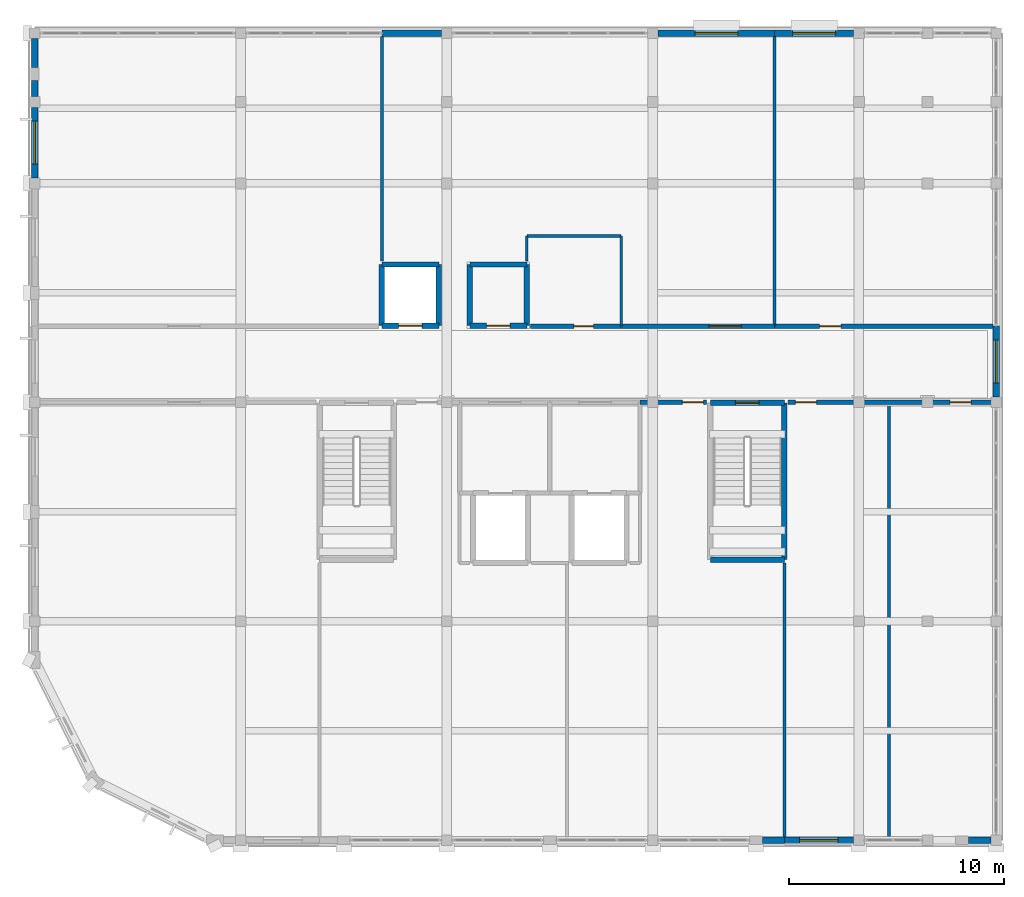
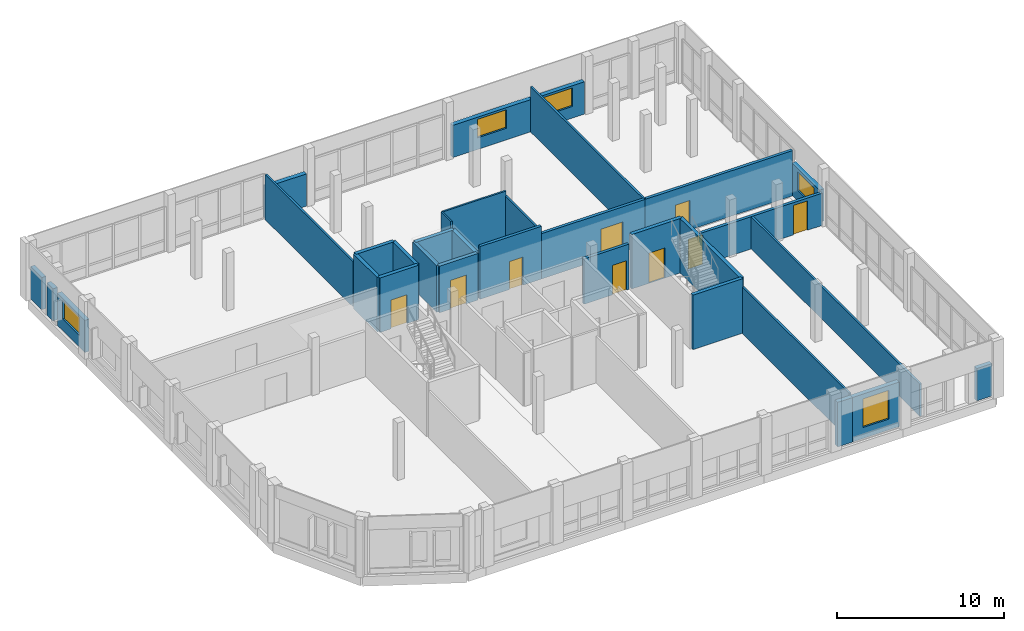
# One storey, part 22 of 29: 33 walls, 9 doors, 5 windows, 14 openings.
"""IFC4 building model written with IfcOpenShell, lengths in metres."""

import ifcopenshell
import ifcopenshell.guid

model = None  # the IFC model being written
_history = None  # IfcOwnerHistory: only IFC2X3 demands one
_inside = {}  # id of a spatial element -> (the spatial element, [elements in it])
_under = {}  # id of a project, library or spatial element -> (it, [spatial elements below it])
_declared = {}  # id of a project -> (the project, [libraries it declares])
_typed = {}  # id of a type object -> (the type object, [elements of that type])
_made_of = {}  # id of a material, layer set ... -> (it, [elements and type objects made of it])


def new_model(schema):
    """Start an empty IFC model of exactly this schema.

    Asked for "IFC4X3", IfcOpenShell would pick the latest addendum, in which some entities
    have other attributes; the version numbers below select the first issue.
    IFC2X3 requires an IfcOwnerHistory on every rooted entity: one is made here for all.
    """
    global model, _history
    if schema == "IFC4X3":
        model = ifcopenshell.file(schema_version=(4, 3, 0, 0))
    else:
        model = ifcopenshell.file(schema=schema)
    _inside.clear()
    _under.clear()
    _declared.clear()
    _typed.clear()
    _made_of.clear()
    _history = None
    if model.schema == "IFC2X3":
        org = make("IfcOrganization", Name="unknown")
        user = make(
            "IfcPersonAndOrganization",
            ThePerson=make("IfcPerson", FamilyName="unknown"),
            TheOrganization=org,
        )
        app = make(
            "IfcApplication",
            ApplicationDeveloper=org,
            Version="unknown",
            ApplicationFullName="unknown",
            ApplicationIdentifier="unknown",
        )
        _history = make(
            "IfcOwnerHistory",
            OwningUser=user,
            OwningApplication=app,
            ChangeAction="ADDED",
            CreationDate=0,
        )
    return model


def make(cls, **values):
    """One entity of the class cls with the attributes given. An attribute that is None is left unset."""
    return model.create_entity(
        cls, **{name: value for name, value in values.items() if value is not None}
    )


def rooted(cls, **values):
    """An entity with a GlobalId (a new one), such as an element, a storey or a relation."""
    return make(cls, GlobalId=ifcopenshell.guid.new(), OwnerHistory=_history, **values)


def si_unit(unit_type, name, prefix=None):
    """IfcSIUnit, for example si_unit("LENGTHUNIT", "METRE", prefix="MILLI")."""
    return make("IfcSIUnit", UnitType=unit_type, Prefix=prefix, Name=name)


def assignment(units):
    """IfcUnitAssignment: the units of a project."""
    return None if units is None else make("IfcUnitAssignment", Units=units)


def point(xyz):
    """IfcCartesianPoint."""
    return None if xyz is None else make("IfcCartesianPoint", Coordinates=xyz)


def direction(xyz):
    """IfcDirection."""
    return None if xyz is None else make("IfcDirection", DirectionRatios=xyz)


def frame(location, z_axis=None, x_axis=None):
    """IfcAxis2Placement3D, a coordinate frame: its origin and axes. An axis left out is left unset."""
    return make(
        "IfcAxis2Placement3D",
        Location=point(location),
        Axis=direction(z_axis),
        RefDirection=direction(x_axis),
    )


def frame_2d(location, x_axis=None):
    """IfcAxis2Placement2D, a coordinate frame in the plane: its origin and x axis."""
    return make(
        "IfcAxis2Placement2D", Location=point(location), RefDirection=direction(x_axis)
    )


def origin():
    """The frame at (0, 0, 0) with its axes left unset."""
    return frame((0.0, 0.0, 0.0))


def place(relative_to, where):
    """IfcLocalPlacement: puts the frame where relative to a parent placement (None: the world)."""
    return make(
        "IfcLocalPlacement", PlacementRelTo=relative_to, RelativePlacement=where
    )


def context(
    kind, dimensions, precision=None, world=None, true_north=None, identifier=None
):
    """IfcGeometricRepresentationContext, for example the 3D "Model" context."""
    return make(
        "IfcGeometricRepresentationContext",
        ContextIdentifier=identifier,
        ContextType=kind,
        CoordinateSpaceDimension=dimensions,
        Precision=precision,
        WorldCoordinateSystem=world,
        TrueNorth=true_north,
    )


def subcontext(parent, identifier, kind, view, scale=None):
    """IfcGeometricRepresentationSubContext, for example "Body" below "Model"."""
    return make(
        "IfcGeometricRepresentationSubContext",
        ContextIdentifier=identifier,
        ContextType=kind,
        ParentContext=parent,
        TargetScale=scale,
        TargetView=view,
    )


def project(units=None, contexts=None):
    """IfcProject with its units and contexts."""
    return rooted(
        "IfcProject",
        Name="project",
        RepresentationContexts=contexts,
        UnitsInContext=assignment(units),
    )


def spatial(cls, under=None, at=None, **own):
    """A site, building, storey or space (cls), placed at a placement, below another one or the project."""
    s = rooted(cls, ObjectPlacement=at, **own)
    if under is not None:
        _under.setdefault(under.id(), (under, []))[1].append(s)
    return s


def profile(cls, at=None, kind="AREA", **sizes):
    """A parametric profile (cls). Its sizes go by their IFC names, for example OverallWidth=200.0."""
    return make(cls, ProfileType=kind, Position=at, **sizes)


def rectangle(**sizes):
    """IfcRectangleProfileDef."""
    return profile("IfcRectangleProfileDef", **sizes)


def extrude(swept, where, along, depth):
    """IfcExtrudedAreaSolid: the profile swept, set in the frame where, extruded along a direction by depth."""
    return make(
        "IfcExtrudedAreaSolid",
        SweptArea=swept,
        Position=where,
        ExtrudedDirection=direction(along),
        Depth=depth,
    )


def shape(context_of_items, identifier, shape_type, items):
    """IfcShapeRepresentation: the items that make up one representation, for example the "Body"."""
    return make(
        "IfcShapeRepresentation",
        ContextOfItems=context_of_items,
        RepresentationIdentifier=identifier,
        RepresentationType=shape_type,
        Items=items,
    )


def material(Name=None, Category=None):
    """IfcMaterial."""
    return make("IfcMaterial", Name=Name, Category=Category)


def layer(
    of_material, thickness, ventilated=None, Name=None, Category=None, Priority=None
):
    """IfcMaterialLayer: one layer of a wall or slab, of a material (None: an air gap)."""
    return make(
        "IfcMaterialLayer",
        Material=of_material,
        LayerThickness=thickness,
        IsVentilated=ventilated,
        Name=Name,
        Category=Category,
        Priority=Priority,
    )


def layer_set(layers, Name=None):
    """IfcMaterialLayerSet."""
    return make("IfcMaterialLayerSet", MaterialLayers=layers, LayerSetName=Name)


def made_of(thing, what):
    """Note that an element or type object is made of a material, layer set ...; save() writes the relation."""
    if what is not None:
        _made_of.setdefault(what.id(), (what, []))[1].append(thing)
    return thing


def type_object(cls, material=None, **own):
    """A type object (cls), such as IfcWallType, which elements share."""
    return made_of(rooted(cls, **own), material)


def element(
    cls,
    number,
    at=None,
    inside=None,
    cuts=None,
    type_object=None,
    material=None,
    context=None,
    identifier="Body",
    shape_type=None,
    held_by="IfcProductDefinitionShape",
    body=None,
    shapes=None,
    **own,
):
    """One element of the class cls, such as IfcWall. Its Tag is "e" and its number.

    at: its placement. inside: the storey or other place that contains it. cuts: it is an
    opening in that element (IfcRelVoidsElement). A single representation is given by context,
    identifier, shape_type and body (its items); several are given by shapes. held_by: the class
    of the entity that holds the representations. save() writes the other relations.
    """
    e = rooted(cls, Tag="e%d" % number, ObjectPlacement=at, **own)
    if body is not None:
        shapes = [shape(context, identifier, shape_type, body)]
    if shapes is not None:
        e.Representation = make(held_by, Representations=shapes)
    if inside is not None:
        _inside.setdefault(inside.id(), (inside, []))[1].append(e)
    if cuts is not None:
        rooted(
            "IfcRelVoidsElement", RelatingBuildingElement=cuts, RelatedOpeningElement=e
        )
    if type_object is not None:
        _typed.setdefault(type_object.id(), (type_object, []))[1].append(e)
    return made_of(e, material)


def fill(opening, filler):
    """IfcRelFillsElement: the door or window that sits in an opening."""
    return rooted(
        "IfcRelFillsElement",
        RelatingOpeningElement=opening,
        RelatedBuildingElement=filler,
    )


def aggregate(whole, parts):
    """IfcRelAggregates: a whole, such as a stair, and the parts it consists of."""
    return rooted("IfcRelAggregates", RelatingObject=whole, RelatedObjects=parts)


def save(model, path):
    """Write the relations noted so far, then the file.

    IfcRelAggregates (storeys below a building ...), IfcRelContainedInSpatialStructure (elements
    in a storey), IfcRelDefinesByType, IfcRelAssociatesMaterial and IfcRelDeclares: one each for
    every whole, place, type object, material and project.
    """
    for whole, parts in _under.values():
        aggregate(whole, parts)
    for where, things in _inside.values():
        rooted(
            "IfcRelContainedInSpatialStructure",
            RelatedElements=things,
            RelatingStructure=where,
        )
    for kind, things in _typed.values():
        rooted("IfcRelDefinesByType", RelatedObjects=things, RelatingType=kind)
    for what, things in _made_of.values():
        rooted("IfcRelAssociatesMaterial", RelatedObjects=things, RelatingMaterial=what)
    for by, libraries in _declared.values():
        rooted("IfcRelDeclares", RelatingContext=by, RelatedDefinitions=libraries)
    model.write(path)


model = new_model("IFC4")

# Units and contexts
model_context = context("Model", 3, precision=1e-05, world=origin(), true_north=direction((0.0, 1.0)))
body_context = subcontext(model_context, "Body", "Model", "MODEL_VIEW")
ifc_project = project(units=[si_unit("LENGTHUNIT", "METRE"), si_unit("AREAUNIT", "SQUARE_METRE"), si_unit("VOLUMEUNIT", "CUBIC_METRE"), si_unit("PLANEANGLEUNIT", "RADIAN"), si_unit("MASSUNIT", "GRAM", prefix="KILO")], contexts=[model_context])

# Site, building, storey
site_placement = place(None, origin())
site = spatial("IfcSite", under=ifc_project, at=site_placement, CompositionType="ELEMENT")
building_placement = place(site_placement, origin())
building = spatial("IfcBuilding", under=site, at=building_placement, Name="Vondelvale Polytechnic", CompositionType="ELEMENT")
storey_placement = place(building_placement, frame((0.0, 0.0, 26.39990234375)))
storey = spatial("IfcBuildingStorey", under=building, at=storey_placement, Name="L06", CompositionType="ELEMENT", Elevation=26.39990234375)

# Wall
ifc_material_1 = material(Name="Amsterdam School iron-spot clinker clay brickwork", Category="masonry")
ifc_layer_1 = layer(ifc_material_1, 0.300048828125)
ifc_layer_set_1 = layer_set([ifc_layer_1], Name="WL-BRICK-300")
wall_type_1 = type_object("IfcWallType", Name="WL-BRICK-300", PredefinedType="SOLIDWALL", material=ifc_layer_set_1)
wall_1_placement = place(storey_placement, frame((34.925048828125, 0.0, 0.0), z_axis=(0.0, 0.0, 1.0), x_axis=(-1.0, 0.0, 0.0)))
element("IfcWall", 1, at=wall_1_placement, inside=storey, type_object=wall_type_1, Name="L06 exterior masonry facade wall", PredefinedType="SOLIDWALL", context=body_context, shape_type="SweptSolid", body=[
    extrude(rectangle(XDim=1.024169921875, YDim=0.300048828125, at=frame_2d((0.51220703125, 0.0))), origin(), (0.0, 0.0, 1.0), 3.25),
])

# Wall, opening, window
wall_2_placement = place(storey_placement, frame((38.14892578125, 0.0, 0.0), z_axis=(0.0, 0.0, 1.0), x_axis=(-1.0, 0.0, 0.0)))
wall_2 = element("IfcWall", 2, at=wall_2_placement, inside=storey, type_object=wall_type_1, Name="L06 exterior masonry facade wall", PredefinedType="SOLIDWALL", context=body_context, shape_type="SweptSolid", body=[
    extrude(rectangle(XDim=3.223876953125, YDim=0.300048828125, at=frame_2d((1.61181640625, 0.0))), origin(), (0.0, 0.0, 1.0), 3.25),
])
opening_1_placement = place(wall_2_placement, frame((0.7119140625, 0.0, 0.800048828125)))
opening_1 = element("IfcOpeningElement", 3, at=opening_1_placement, cuts=wall_2, Name="Opening WN-0281", PredefinedType="OPENING", context=body_context, shape_type="SweptSolid", body=[
    extrude(rectangle(XDim=1.800048828125, YDim=2.10009765625, at=frame_2d((0.89990234375, 1.050048828125))), frame((0.0, 0.159912109375, 0.0), z_axis=(0.0, -1.0, 0.0), x_axis=(1.0, 0.0, 0.0)), (0.0, 0.0, 1.0), 0.320068359375),
])
ifc_material_2 = material(Name="Double-glazed low-E insulated architectural glass", Category="glass")
window_type_1 = type_object("IfcWindowType", Name="WN-LAB-1800x2100", PartitioningType="SINGLE_PANEL", PredefinedType="WINDOW", material=ifc_material_2)
window_1_placement = place(opening_1_placement, origin())
window_1 = element("IfcWindow", 4, at=window_1_placement, inside=storey, type_object=window_type_1, Name="L06 double-glazed architectural window WN-0281", OverallHeight=2.10009765625, OverallWidth=1.800048828125, PartitioningType="SINGLE_PANEL", PredefinedType="WINDOW", context=body_context, shape_type="SweptSolid", body=[
    extrude(rectangle(XDim=1.800048828125, YDim=2.10009765625, at=frame_2d((0.89990234375, 1.050048828125))), frame((0.0, 0.030029296875, 0.0), z_axis=(0.0, -1.0, 0.0), x_axis=(1.0, 0.0, 0.0)), (0.0, 0.0, 1.0), 0.06005859375),
])
fill(opening_1, window_1)

# Wall
wall_3_placement = place(storey_placement, frame((44.549072265625, 0.0, 0.0), z_axis=(0.0, 0.0, 1.0), x_axis=(-1.0, 0.0, 0.0)))
element("IfcWall", 5, at=wall_3_placement, inside=storey, type_object=wall_type_1, Name="L06 exterior masonry facade wall", PredefinedType="SOLIDWALL", context=body_context, shape_type="SweptSolid", body=[
    extrude(rectangle(XDim=1.048095703125, YDim=0.300048828125, at=frame_2d((0.52392578125, 0.0))), origin(), (0.0, 0.0, 1.0), 2.35498046875),
])

# Wall, opening, window
wall_4_placement = place(storey_placement, frame((0.0, 30.85107421875, 0.0), z_axis=(0.0, 0.0, 1.0), x_axis=(0.0, 1.0, 0.0)))
wall_4 = element("IfcWall", 6, at=wall_4_placement, inside=storey, type_object=wall_type_1, Name="L06 exterior masonry facade wall", PredefinedType="SOLIDWALL", context=body_context, shape_type="SweptSolid", body=[
    extrude(rectangle(XDim=3.2978515625, YDim=0.300048828125, at=frame_2d((1.64892578125, 0.0))), origin(), (0.0, 0.0, 1.0), 2.35498046875),
])
opening_2_placement = place(wall_4_placement, frame((0.64892578125, 0.0, 0.85009765625)))
opening_2 = element("IfcOpeningElement", 7, at=opening_2_placement, cuts=wall_4, Name="Opening WN-0286", PredefinedType="OPENING", context=body_context, shape_type="SweptSolid", body=[
    extrude(rectangle(XDim=2.0, YDim=1.35009765625, at=frame_2d((1.0, 0.675048828125))), frame((0.0, 0.159912109375, 0.0), z_axis=(0.0, -1.0, 0.0), x_axis=(1.0, 0.0, 0.0)), (0.0, 0.0, 1.0), 0.320068359375),
])
window_type_2 = type_object("IfcWindowType", Name="WN-RIB-2000x1350", PartitioningType="SINGLE_PANEL", PredefinedType="WINDOW", material=ifc_material_2)
window_2_placement = place(opening_2_placement, origin())
window_2 = element("IfcWindow", 8, at=window_2_placement, inside=storey, type_object=window_type_2, Name="L06 double-glazed architectural window WN-0286", OverallHeight=1.35009765625, OverallWidth=2.0, PartitioningType="SINGLE_PANEL", PredefinedType="WINDOW", context=body_context, shape_type="SweptSolid", body=[
    extrude(rectangle(XDim=2.0, YDim=1.35009765625, at=frame_2d((1.0, 0.675048828125))), frame((0.0, 0.030029296875, 0.0), z_axis=(0.0, -1.0, 0.0), x_axis=(1.0, 0.0, 0.0)), (0.0, 0.0, 1.0), 0.06005859375),
])
fill(opening_2, window_2)

# Walls
wall_5_placement = place(storey_placement, frame((0.0, 34.65087890625, 0.0), z_axis=(0.0, 0.0, 1.0), x_axis=(0.0, 1.0, 0.0)))
element("IfcWall", 9, at=wall_5_placement, inside=storey, type_object=wall_type_1, Name="L06 exterior masonry facade wall", PredefinedType="SOLIDWALL", context=body_context, shape_type="SweptSolid", body=[
    extrude(rectangle(XDim=0.748046875, YDim=0.300048828125, at=frame_2d((0.3740234375, 0.0))), origin(), (0.0, 0.0, 1.0), 2.35498046875),
])
wall_6_placement = place(storey_placement, frame((0.0, 36.0009765625, 0.0), z_axis=(0.0, 0.0, 1.0), x_axis=(0.0, 1.0, 0.0)))
element("IfcWall", 10, at=wall_6_placement, inside=storey, type_object=wall_type_1, Name="L06 exterior masonry facade wall", PredefinedType="SOLIDWALL", context=body_context, shape_type="SweptSolid", body=[
    extrude(rectangle(XDim=1.34814453125, YDim=0.300048828125, at=frame_2d((0.674072265625, 0.0))), origin(), (0.0, 0.0, 1.0), 2.35498046875),
])

# Wall, opening, window
wall_7_placement = place(storey_placement, frame((44.800048828125, 23.949951171875, 0.0), z_axis=(0.0, 0.0, 1.0), x_axis=(0.0, -1.0, 0.0)))
wall_7 = element("IfcWall", 11, at=wall_7_placement, inside=storey, type_object=wall_type_1, Name="L06 exterior masonry facade wall", PredefinedType="SOLIDWALL", context=body_context, shape_type="SweptSolid", body=[
    extrude(rectangle(XDim=3.299072265625, YDim=0.300048828125, at=frame_2d((1.6494140625, 0.0))), origin(), (0.0, 0.0, 1.0), 2.35498046875),
])
opening_3_placement = place(wall_7_placement, frame((0.6494140625, 0.0, 0.75)))
opening_3 = element("IfcOpeningElement", 12, at=opening_3_placement, cuts=wall_7, Name="Opening WN-0287", PredefinedType="OPENING", context=body_context, shape_type="SweptSolid", body=[
    extrude(rectangle(XDim=2.0, YDim=1.35009765625, at=frame_2d((1.0, 0.675048828125))), frame((0.0, 0.159912109375, 0.0), z_axis=(0.0, -1.0, 0.0), x_axis=(1.0, 0.0, 0.0)), (0.0, 0.0, 1.0), 0.320068359375),
])
window_3_placement = place(opening_3_placement, origin())
window_3 = element("IfcWindow", 13, at=window_3_placement, inside=storey, type_object=window_type_2, Name="L06 double-glazed architectural window WN-0287", OverallHeight=1.35009765625, OverallWidth=2.0, PartitioningType="SINGLE_PANEL", PredefinedType="WINDOW", context=body_context, shape_type="SweptSolid", body=[
    extrude(rectangle(XDim=2.0, YDim=1.35009765625, at=frame_2d((1.0, 0.675048828125))), frame((0.0, 0.030029296875, 0.0), z_axis=(0.0, -1.0, 0.0), x_axis=(1.0, 0.0, 0.0)), (0.0, 0.0, 1.0), 0.06005859375),
])
fill(opening_3, window_3)

# Wall
wall_8_placement = place(storey_placement, frame((16.175048828125, 37.60009765625, 0.0), z_axis=(0.0, 0.0, 1.0), x_axis=(1.0, 0.0, 0.0)))
element("IfcWall", 14, at=wall_8_placement, inside=storey, type_object=wall_type_1, Name="L06 exterior masonry facade wall", PredefinedType="SOLIDWALL", context=body_context, shape_type="SweptSolid", body=[
    extrude(rectangle(XDim=2.77392578125, YDim=0.300048828125, at=frame_2d((1.386962890625, 0.0))), origin(), (0.0, 0.0, 1.0), 2.35498046875),
])

# Wall, opening, window
wall_9_placement = place(storey_placement, frame((29.051025390625, 37.60009765625, 0.0), z_axis=(0.0, 0.0, 1.0), x_axis=(1.0, 0.0, 0.0)))
wall_9 = element("IfcWall", 15, at=wall_9_placement, inside=storey, type_object=wall_type_1, Name="L06 exterior masonry facade wall", PredefinedType="SOLIDWALL", context=body_context, shape_type="SweptSolid", body=[
    extrude(rectangle(XDim=5.424072265625, YDim=0.300048828125, at=frame_2d((2.7119140625, 0.0))), origin(), (0.0, 0.0, 1.0), 2.35498046875),
])
opening_4_placement = place(wall_9_placement, frame((1.7119140625, 0.0, 0.85009765625)))
opening_4 = element("IfcOpeningElement", 16, at=opening_4_placement, cuts=wall_9, Name="Opening WN-0288", PredefinedType="OPENING", context=body_context, shape_type="SweptSolid", body=[
    extrude(rectangle(XDim=2.0, YDim=1.35009765625, at=frame_2d((1.0, 0.675048828125))), frame((0.0, 0.159912109375, 0.0), z_axis=(0.0, -1.0, 0.0), x_axis=(1.0, 0.0, 0.0)), (0.0, 0.0, 1.0), 0.320068359375),
])
window_4_placement = place(opening_4_placement, origin())
window_4 = element("IfcWindow", 17, at=window_4_placement, inside=storey, type_object=window_type_2, Name="L06 double-glazed architectural window WN-0288", OverallHeight=1.35009765625, OverallWidth=2.0, PartitioningType="SINGLE_PANEL", PredefinedType="WINDOW", context=body_context, shape_type="SweptSolid", body=[
    extrude(rectangle(XDim=2.0, YDim=1.35009765625, at=frame_2d((1.0, 0.675048828125))), frame((0.0, 0.030029296875, 0.0), z_axis=(0.0, -1.0, 0.0), x_axis=(1.0, 0.0, 0.0)), (0.0, 0.0, 1.0), 0.06005859375),
])
fill(opening_4, window_4)

wall_10_placement = place(storey_placement, frame((34.47509765625, 37.60009765625, 0.0), z_axis=(0.0, 0.0, 1.0), x_axis=(1.0, 0.0, 0.0)))
wall_10 = element("IfcWall", 18, at=wall_10_placement, inside=storey, type_object=wall_type_1, Name="L06 exterior masonry facade wall", PredefinedType="SOLIDWALL", context=body_context, shape_type="SweptSolid", body=[
    extrude(rectangle(XDim=3.673828125, YDim=0.300048828125, at=frame_2d((1.8369140625, 0.0))), origin(), (0.0, 0.0, 1.0), 2.35498046875),
])
opening_5_placement = place(wall_10_placement, frame((0.8369140625, 0.0, 0.85009765625)))
opening_5 = element("IfcOpeningElement", 19, at=opening_5_placement, cuts=wall_10, Name="Opening WN-0289", PredefinedType="OPENING", context=body_context, shape_type="SweptSolid", body=[
    extrude(rectangle(XDim=2.0, YDim=1.35009765625, at=frame_2d((1.0, 0.675048828125))), frame((0.0, 0.159912109375, 0.0), z_axis=(0.0, -1.0, 0.0), x_axis=(1.0, 0.0, 0.0)), (0.0, 0.0, 1.0), 0.320068359375),
])
window_5_placement = place(opening_5_placement, origin())
window_5 = element("IfcWindow", 20, at=window_5_placement, inside=storey, type_object=window_type_2, Name="L06 double-glazed architectural window WN-0289", OverallHeight=1.35009765625, OverallWidth=2.0, PartitioningType="SINGLE_PANEL", PredefinedType="WINDOW", context=body_context, shape_type="SweptSolid", body=[
    extrude(rectangle(XDim=2.0, YDim=1.35009765625, at=frame_2d((1.0, 0.675048828125))), frame((0.0, 0.030029296875, 0.0), z_axis=(0.0, -1.0, 0.0), x_axis=(1.0, 0.0, 0.0)), (0.0, 0.0, 1.0), 0.06005859375),
])
fill(opening_5, window_5)

# Walls
ifc_material_3 = material(Name="Concrete N40 (f'c = 40 MPa)", Category="concrete")
ifc_layer_2 = layer(ifc_material_3, 0.25)
ifc_layer_set_2 = layer_set([ifc_layer_2], Name="WL-CORE-250")
wall_type_2 = type_object("IfcWallType", Name="WL-CORE-250", PredefinedType="SOLIDWALL", material=ifc_layer_set_2)
wall_11_placement = place(storey_placement, frame((31.47509765625, 13.074951171875, 0.0), z_axis=(0.0, 0.0, 1.0), x_axis=(1.0, 0.0, 0.0)))
element("IfcWall", 21, at=wall_11_placement, inside=storey, type_object=wall_type_2, Name="L06 ST-04 reinforced concrete stair core wall", PredefinedType="SOLIDWALL", context=body_context, shape_type="SweptSolid", body=[
    extrude(rectangle(XDim=3.449951171875, YDim=0.25, at=frame_2d((1.72509765625, 0.0))), origin(), (0.0, 0.0, 1.0), 3.97509765625),
])
wall_12_placement = place(storey_placement, frame((34.925048828125, 13.074951171875, 0.0), z_axis=(0.0, 0.0, 1.0), x_axis=(0.0, 1.0, 0.0)))
element("IfcWall", 22, at=wall_12_placement, inside=storey, type_object=wall_type_2, Name="L06 ST-04 reinforced concrete stair core wall", PredefinedType="SOLIDWALL", context=body_context, shape_type="SweptSolid", body=[
    extrude(rectangle(XDim=7.300048828125, YDim=0.25, at=frame_2d((3.64990234375, 0.0))), origin(), (0.0, 0.0, 1.0), 3.97509765625),
])

# Wall, opening, door
wall_13_placement = place(storey_placement, frame((34.925048828125, 20.375, 0.0), z_axis=(0.0, 0.0, 1.0), x_axis=(-1.0, 0.0, 0.0)))
wall_13 = element("IfcWall", 23, at=wall_13_placement, inside=storey, type_object=wall_type_2, Name="L06 ST-04 reinforced concrete stair core wall", PredefinedType="SOLIDWALL", context=body_context, shape_type="SweptSolid", body=[
    extrude(rectangle(XDim=3.449951171875, YDim=0.25, at=frame_2d((1.72509765625, 0.0))), origin(), (0.0, 0.0, 1.0), 3.97509765625),
])
opening_6_placement = place(wall_13_placement, frame((1.175048828125, 0.0, 0.0)))
opening_6 = element("IfcOpeningElement", 24, at=opening_6_placement, cuts=wall_13, Name="Opening SD-025", PredefinedType="OPENING", context=body_context, shape_type="SweptSolid", body=[
    extrude(rectangle(XDim=1.10009765625, YDim=2.199951171875, at=frame_2d((0.550048828125, 1.10009765625))), frame((0.0, 0.135009765625, 0.0), z_axis=(0.0, -1.0, 0.0), x_axis=(1.0, 0.0, 0.0)), (0.0, 0.0, 1.0), 0.27001953125),
])
ifc_material_4 = material(Name="Brushed architectural stainless and zinc-coated metal")
door_type_1 = type_object("IfcDoorType", Name="DR-STAIR-1100x2200", OperationType="SINGLE_SWING_LEFT", PredefinedType="DOOR", material=ifc_material_4)
door_1_placement = place(opening_6_placement, origin())
door_1 = element("IfcDoor", 25, at=door_1_placement, inside=storey, type_object=door_type_1, Name="L06 ST-04 fire-isolated stair door", OperationType="SINGLE_SWING_LEFT", OverallHeight=2.199951171875, OverallWidth=1.10009765625, PredefinedType="DOOR", context=body_context, shape_type="SweptSolid", body=[
    extrude(rectangle(XDim=1.10009765625, YDim=2.199951171875, at=frame_2d((0.550048828125, 1.10009765625))), frame((0.0, 0.02490234375, 0.0), z_axis=(0.0, -1.0, 0.0), x_axis=(1.0, 0.0, 0.0)), (0.0, 0.0, 1.0), 0.050048828125),
])
fill(opening_6, door_1)

ifc_material_5 = material(Name="Fire-rated double-layer plasterboard stud partition")
ifc_layer_3 = layer(ifc_material_5, 0.199951171875)
ifc_layer_set_3 = layer_set([ifc_layer_3], Name="WL-CORR-200")
wall_type_3 = type_object("IfcWallType", Name="WL-CORR-200", PredefinedType="PARTITIONING", material=ifc_layer_set_3)
wall_14_placement = place(storey_placement, frame((28.199951171875, 20.39990234375, 0.0), z_axis=(0.0, 0.0, 1.0), x_axis=(1.0, 0.0, 0.0)))
wall_14 = element("IfcWall", 26, at=wall_14_placement, inside=storey, type_object=wall_type_3, Name="L06 interior acoustic partition", PredefinedType="PARTITIONING", context=body_context, shape_type="SweptSolid", body=[
    extrude(rectangle(XDim=3.110107421875, YDim=0.199951171875, at=frame_2d((1.55517578125, 0.0))), origin(), (0.0, 0.0, 1.0), 3.30517578125),
])
opening_7_placement = place(wall_14_placement, frame((1.969970703125, 0.0, 0.0)))
opening_7 = element("IfcOpeningElement", 27, at=opening_7_placement, cuts=wall_14, Name="Opening ID-0197", PredefinedType="OPENING", context=body_context, shape_type="SweptSolid", body=[
    extrude(rectangle(XDim=0.97998046875, YDim=2.14990234375, at=frame_2d((0.489990234375, 1.074951171875))), frame((0.0, 0.10986328125, 0.0), z_axis=(0.0, -1.0, 0.0), x_axis=(1.0, 0.0, 0.0)), (0.0, 0.0, 1.0), 0.219970703125),
])
ifc_material_6 = material(Name="Fire-rated solid Tasmanian oak joinery")
door_type_2 = type_object("IfcDoorType", Name="DR-INT-0980x2150", OperationType="SINGLE_SWING_RIGHT", PredefinedType="DOOR", material=ifc_material_6)
door_2_placement = place(opening_7_placement, origin())
door_2 = element("IfcDoor", 28, at=door_2_placement, inside=storey, type_object=door_type_2, Name="L06 interior room door ID-0197", OperationType="SINGLE_SWING_LEFT", OverallHeight=2.14990234375, OverallWidth=0.97998046875, PredefinedType="DOOR", context=body_context, shape_type="SweptSolid", body=[
    extrude(rectangle(XDim=0.97998046875, YDim=2.14990234375, at=frame_2d((0.489990234375, 1.074951171875))), frame((0.0, 0.02490234375, 0.0), z_axis=(0.0, -1.0, 0.0), x_axis=(1.0, 0.0, 0.0)), (0.0, 0.0, 1.0), 0.050048828125),
])
fill(opening_7, door_2)

# Wall, openings, doors
wall_15_placement = place(storey_placement, frame((35.090087890625, 20.39990234375, 0.0), z_axis=(0.0, 0.0, 1.0), x_axis=(1.0, 0.0, 0.0)))
wall_15 = element("IfcWall", 29, at=wall_15_placement, inside=storey, type_object=wall_type_3, Name="L06 interior acoustic partition", PredefinedType="PARTITIONING", context=body_context, shape_type="SweptSolid", body=[
    extrude(rectangle(XDim=9.559814453125, YDim=0.199951171875, at=frame_2d((4.77978515625, 0.0))), origin(), (0.0, 0.0, 1.0), 2.35498046875),
])
opening_8_placement = place(wall_15_placement, frame((0.35498046875, 0.0, 0.0)))
opening_8 = element("IfcOpeningElement", 30, at=opening_8_placement, cuts=wall_15, Name="Opening ID-0198", PredefinedType="OPENING", context=body_context, shape_type="SweptSolid", body=[
    extrude(rectangle(XDim=0.97998046875, YDim=2.14990234375, at=frame_2d((0.489990234375, 1.074951171875))), frame((0.0, 0.10986328125, 0.0), z_axis=(0.0, -1.0, 0.0), x_axis=(1.0, 0.0, 0.0)), (0.0, 0.0, 1.0), 0.219970703125),
])
opening_9_placement = place(wall_15_placement, frame((7.56005859375, 0.0, 0.0)))
opening_9 = element("IfcOpeningElement", 31, at=opening_9_placement, cuts=wall_15, Name="Opening ID-0199", PredefinedType="OPENING", context=body_context, shape_type="SweptSolid", body=[
    extrude(rectangle(XDim=0.97998046875, YDim=2.14990234375, at=frame_2d((0.489990234375, 1.074951171875))), frame((0.0, 0.10986328125, 0.0), z_axis=(0.0, -1.0, 0.0), x_axis=(1.0, 0.0, 0.0)), (0.0, 0.0, 1.0), 0.219970703125),
])
door_3_placement = place(opening_8_placement, origin())
door_3 = element("IfcDoor", 32, at=door_3_placement, inside=storey, type_object=door_type_2, Name="L06 interior room door ID-0198", OperationType="SINGLE_SWING_RIGHT", OverallHeight=2.14990234375, OverallWidth=0.97998046875, PredefinedType="DOOR", context=body_context, shape_type="SweptSolid", body=[
    extrude(rectangle(XDim=0.97998046875, YDim=2.14990234375, at=frame_2d((0.489990234375, 1.074951171875))), frame((0.0, 0.02490234375, 0.0), z_axis=(0.0, -1.0, 0.0), x_axis=(1.0, 0.0, 0.0)), (0.0, 0.0, 1.0), 0.050048828125),
])
fill(opening_8, door_3)
door_4_placement = place(opening_9_placement, origin())
door_4 = element("IfcDoor", 33, at=door_4_placement, inside=storey, type_object=door_type_2, Name="L06 interior room door ID-0199", OperationType="SINGLE_SWING_LEFT", OverallHeight=2.14990234375, OverallWidth=0.97998046875, PredefinedType="DOOR", context=body_context, shape_type="SweptSolid", body=[
    extrude(rectangle(XDim=0.97998046875, YDim=2.14990234375, at=frame_2d((0.489990234375, 1.074951171875))), frame((0.0, 0.02490234375, 0.0), z_axis=(0.0, -1.0, 0.0), x_axis=(1.0, 0.0, 0.0)), (0.0, 0.0, 1.0), 0.050048828125),
])
fill(opening_9, door_4)

# Wall, opening, door
wall_16_placement = place(storey_placement, frame((23.090087890625, 23.949951171875, 0.0), z_axis=(0.0, 0.0, 1.0), x_axis=(1.0, 0.0, 0.0)))
wall_16 = element("IfcWall", 34, at=wall_16_placement, inside=storey, type_object=wall_type_3, Name="L06 interior acoustic partition", PredefinedType="PARTITIONING", context=body_context, shape_type="SweptSolid", body=[
    extrude(rectangle(XDim=4.23486328125, YDim=0.199951171875, at=frame_2d((2.117431640625, 0.0))), origin(), (0.0, 0.0, 1.0), 3.85009765625),
])
opening_10_placement = place(wall_16_placement, frame((2.034912109375, 0.0, 0.0)))
opening_10 = element("IfcOpeningElement", 35, at=opening_10_placement, cuts=wall_16, Name="Opening ID-0200", PredefinedType="OPENING", context=body_context, shape_type="SweptSolid", body=[
    extrude(rectangle(XDim=0.89990234375, YDim=2.050048828125, at=frame_2d((0.449951171875, 1.02490234375))), frame((0.0, 0.10986328125, 0.0), z_axis=(0.0, -1.0, 0.0), x_axis=(1.0, 0.0, 0.0)), (0.0, 0.0, 1.0), 0.219970703125),
])
door_type_3 = type_object("IfcDoorType", Name="DR-WC-0900x2050", OperationType="SINGLE_SWING_RIGHT", PredefinedType="DOOR", material=ifc_material_6)
door_5_placement = place(opening_10_placement, origin())
door_5 = element("IfcDoor", 36, at=door_5_placement, inside=storey, type_object=door_type_3, Name="L06 interior room door ID-0200", OperationType="SINGLE_SWING_RIGHT", OverallHeight=2.050048828125, OverallWidth=0.89990234375, PredefinedType="DOOR", context=body_context, shape_type="SweptSolid", body=[
    extrude(rectangle(XDim=0.89990234375, YDim=2.050048828125, at=frame_2d((0.449951171875, 1.02490234375))), frame((0.0, 0.02490234375, 0.0), z_axis=(0.0, -1.0, 0.0), x_axis=(1.0, 0.0, 0.0)), (0.0, 0.0, 1.0), 0.050048828125),
])
fill(opening_10, door_5)

wall_17_placement = place(storey_placement, frame((27.324951171875, 23.949951171875, 0.0), z_axis=(0.0, 0.0, 1.0), x_axis=(1.0, 0.0, 0.0)))
wall_17 = element("IfcWall", 37, at=wall_17_placement, inside=storey, type_object=wall_type_3, Name="L06 interior acoustic partition", PredefinedType="PARTITIONING", context=body_context, shape_type="SweptSolid", body=[
    extrude(rectangle(XDim=7.150146484375, YDim=0.199951171875, at=frame_2d((3.5751953125, 0.0))), origin(), (0.0, 0.0, 1.0), 3.30517578125),
])
opening_11_placement = place(wall_17_placement, frame((4.10009765625, 0.0, 0.0)))
opening_11 = element("IfcOpeningElement", 38, at=opening_11_placement, cuts=wall_17, Name="Opening ID-0202", PredefinedType="OPENING", context=body_context, shape_type="SweptSolid", body=[
    extrude(rectangle(XDim=1.5, YDim=2.199951171875, at=frame_2d((0.75, 1.10009765625))), frame((0.0, 0.10986328125, 0.0), z_axis=(0.0, -1.0, 0.0), x_axis=(1.0, 0.0, 0.0)), (0.0, 0.0, 1.0), 0.219970703125),
])
door_type_4 = type_object("IfcDoorType", Name="DR-LAB-1500x2200", OperationType="DOUBLE_DOOR_SINGLE_SWING", PredefinedType="DOOR", material=ifc_material_6)
door_6_placement = place(opening_11_placement, origin())
door_6 = element("IfcDoor", 39, at=door_6_placement, inside=storey, type_object=door_type_4, Name="L06 interior room door ID-0202", OperationType="DOUBLE_DOOR_SINGLE_SWING", OverallHeight=2.199951171875, OverallWidth=1.5, PredefinedType="DOOR", context=body_context, shape_type="SweptSolid", body=[
    extrude(rectangle(XDim=1.5, YDim=2.199951171875, at=frame_2d((0.75, 1.10009765625))), frame((0.0, 0.02490234375, 0.0), z_axis=(0.0, -1.0, 0.0), x_axis=(1.0, 0.0, 0.0)), (0.0, 0.0, 1.0), 0.050048828125),
])
fill(opening_11, door_6)

wall_18_placement = place(storey_placement, frame((34.47509765625, 23.949951171875, 0.0), z_axis=(0.0, 0.0, 1.0), x_axis=(1.0, 0.0, 0.0)))
wall_18 = element("IfcWall", 40, at=wall_18_placement, inside=storey, type_object=wall_type_3, Name="L06 interior acoustic partition", PredefinedType="PARTITIONING", context=body_context, shape_type="SweptSolid", body=[
    extrude(rectangle(XDim=10.1748046875, YDim=0.199951171875, at=frame_2d((5.08740234375, 0.0))), origin(), (0.0, 0.0, 1.0), 3.30517578125),
])
opening_12_placement = place(wall_18_placement, frame((2.10009765625, 0.0, 0.0)))
opening_12 = element("IfcOpeningElement", 41, at=opening_12_placement, cuts=wall_18, Name="Opening ID-0203", PredefinedType="OPENING", context=body_context, shape_type="SweptSolid", body=[
    extrude(rectangle(XDim=0.97998046875, YDim=2.14990234375, at=frame_2d((0.489990234375, 1.074951171875))), frame((0.0, 0.10986328125, 0.0), z_axis=(0.0, -1.0, 0.0), x_axis=(1.0, 0.0, 0.0)), (0.0, 0.0, 1.0), 0.219970703125),
])
door_7_placement = place(opening_12_placement, origin())
door_7 = element("IfcDoor", 42, at=door_7_placement, inside=storey, type_object=door_type_2, Name="L06 interior room door ID-0203", OperationType="SINGLE_SWING_LEFT", OverallHeight=2.14990234375, OverallWidth=0.97998046875, PredefinedType="DOOR", context=body_context, shape_type="SweptSolid", body=[
    extrude(rectangle(XDim=0.97998046875, YDim=2.14990234375, at=frame_2d((0.489990234375, 1.074951171875))), frame((0.0, 0.02490234375, 0.0), z_axis=(0.0, -1.0, 0.0), x_axis=(1.0, 0.0, 0.0)), (0.0, 0.0, 1.0), 0.050048828125),
])
fill(opening_12, door_7)

# Walls
ifc_layer_4 = layer(ifc_material_5, 0.1201171875)
ifc_layer_set_4 = layer_set([ifc_layer_4], Name="WL-INT-120")
wall_type_4 = type_object("IfcWallType", Name="WL-INT-120", PredefinedType="PARTITIONING", material=ifc_layer_set_4)
wall_19_placement = place(storey_placement, frame((22.925048828125, 26.989990234375, 0.0), z_axis=(0.0, 0.0, 1.0), x_axis=(0.0, 1.0, 0.0)))
element("IfcWall", 43, at=wall_19_placement, inside=storey, type_object=wall_type_4, Name="L06 interior acoustic partition", PredefinedType="PARTITIONING", context=body_context, shape_type="SweptSolid", body=[
    extrude(rectangle(XDim=1.159912109375, YDim=0.1201171875, at=frame_2d((0.580078125, 0.0))), origin(), (0.0, 0.0, 1.0), 3.85009765625),
])
wall_20_placement = place(storey_placement, frame((22.925048828125, 28.14990234375, 0.0), z_axis=(0.0, 0.0, 1.0), x_axis=(1.0, 0.0, 0.0)))
element("IfcWall", 44, at=wall_20_placement, inside=storey, type_object=wall_type_4, Name="L06 interior acoustic partition", PredefinedType="PARTITIONING", context=body_context, shape_type="SweptSolid", body=[
    extrude(rectangle(XDim=4.39990234375, YDim=0.1201171875, at=frame_2d((2.199951171875, 0.0))), origin(), (0.0, 0.0, 1.0), 3.85009765625),
])
wall_21_placement = place(storey_placement, frame((27.324951171875, 23.949951171875, 0.0), z_axis=(0.0, 0.0, 1.0), x_axis=(0.0, 1.0, 0.0)))
element("IfcWall", 45, at=wall_21_placement, inside=storey, type_object=wall_type_4, Name="L06 interior acoustic partition", PredefinedType="PARTITIONING", context=body_context, shape_type="SweptSolid", body=[
    extrude(rectangle(XDim=4.199951171875, YDim=0.1201171875, at=frame_2d((2.10009765625, 0.0))), origin(), (0.0, 0.0, 1.0), 3.505126953125),
])
ifc_layer_5 = layer(ifc_material_5, 0.135009765625)
ifc_layer_set_5 = layer_set([ifc_layer_5], Name="WL-INT-135")
wall_type_5 = type_object("IfcWallType", Name="WL-INT-135", PredefinedType="PARTITIONING", material=ifc_layer_set_5)
wall_22_placement = place(storey_placement, frame((34.925048828125, 0.14990234375, 0.0), z_axis=(0.0, 0.0, 1.0), x_axis=(0.0, 1.0, 0.0)))
element("IfcWall", 46, at=wall_22_placement, inside=storey, type_object=wall_type_5, Name="L06 interior acoustic partition", PredefinedType="PARTITIONING", context=body_context, shape_type="SweptSolid", body=[
    extrude(rectangle(XDim=12.760009765625, YDim=0.135009765625, at=frame_2d((6.3798828125, 0.0))), origin(), (0.0, 0.0, 1.0), 3.405029296875),
])
wall_23_placement = place(storey_placement, frame((39.800048828125, 0.14990234375, 0.0), z_axis=(0.0, 0.0, 1.0), x_axis=(0.0, 1.0, 0.0)))
element("IfcWall", 47, at=wall_23_placement, inside=storey, type_object=wall_type_5, Name="L06 interior acoustic partition", PredefinedType="PARTITIONING", context=body_context, shape_type="SweptSolid", body=[
    extrude(rectangle(XDim=20.25, YDim=0.135009765625, at=frame_2d((10.125, 0.0))), origin(), (0.0, 0.0, 1.0), 2.35498046875),
])
wall_24_placement = place(storey_placement, frame((16.175048828125, 26.989990234375, 0.0), z_axis=(0.0, 0.0, 1.0), x_axis=(0.0, 1.0, 0.0)))
element("IfcWall", 48, at=wall_24_placement, inside=storey, type_object=wall_type_5, Name="L06 interior acoustic partition", PredefinedType="PARTITIONING", context=body_context, shape_type="SweptSolid", body=[
    extrude(rectangle(XDim=10.4599609375, YDim=0.135009765625, at=frame_2d((5.22998046875, 0.0))), origin(), (0.0, 0.0, 1.0), 3.30517578125),
])
wall_25_placement = place(storey_placement, frame((34.47509765625, 23.949951171875, 0.0), z_axis=(0.0, 0.0, 1.0), x_axis=(0.0, 1.0, 0.0)))
element("IfcWall", 49, at=wall_25_placement, inside=storey, type_object=wall_type_5, Name="L06 interior acoustic partition", PredefinedType="PARTITIONING", context=body_context, shape_type="SweptSolid", body=[
    extrude(rectangle(XDim=13.5, YDim=0.135009765625, at=frame_2d((6.75, 0.0))), origin(), (0.0, 0.0, 1.0), 3.30517578125),
])

# Wall, opening, door
ifc_layer_6 = layer(ifc_material_3, 0.25)
ifc_layer_set_6 = layer_set([ifc_layer_6], Name="WL-SHAFT-250")
wall_type_6 = type_object("IfcWallType", Name="WL-SHAFT-250", PredefinedType="SOLIDWALL", material=ifc_layer_set_6)
wall_26_placement = place(storey_placement, frame((16.175048828125, 23.97509765625, 0.0), z_axis=(0.0, 0.0, 1.0), x_axis=(1.0, 0.0, 0.0)))
wall_26 = element("IfcWall", 50, at=wall_26_placement, inside=storey, type_object=wall_type_6, Name="L06 PL-01 lift shaft wall S", PredefinedType="SOLIDWALL", context=body_context, shape_type="SweptSolid", body=[
    extrude(rectangle(XDim=2.64990234375, YDim=0.25, at=frame_2d((1.324951171875, 0.0))), origin(), (0.0, 0.0, 1.0), 3.97509765625),
])
opening_13_placement = place(wall_26_placement, frame((0.77490234375, 0.0, 0.0)))
opening_13 = element("IfcOpeningElement", 51, at=opening_13_placement, cuts=wall_26, Name="Opening LD-026", PredefinedType="OPENING", context=body_context, shape_type="SweptSolid", body=[
    extrude(rectangle(XDim=1.10009765625, YDim=2.10009765625, at=frame_2d((0.550048828125, 1.050048828125))), frame((0.0, 0.135009765625, 0.0), z_axis=(0.0, -1.0, 0.0), x_axis=(1.0, 0.0, 0.0)), (0.0, 0.0, 1.0), 0.27001953125),
])
door_type_5 = type_object("IfcDoorType", Name="DR-LIFT-1100x2100", OperationType="SLIDING_TO_LEFT", PredefinedType="DOOR", material=ifc_material_4)
door_8_placement = place(opening_13_placement, origin())
door_8 = element("IfcDoor", 52, at=door_8_placement, inside=storey, type_object=door_type_5, Name="L06 PL-01 sliding lift landing door", OperationType="SLIDING_TO_LEFT", OverallHeight=2.10009765625, OverallWidth=1.10009765625, PredefinedType="DOOR", context=body_context, shape_type="SweptSolid", body=[
    extrude(rectangle(XDim=1.10009765625, YDim=2.10009765625, at=frame_2d((0.550048828125, 1.050048828125))), frame((0.0, 0.02490234375, 0.0), z_axis=(0.0, -1.0, 0.0), x_axis=(1.0, 0.0, 0.0)), (0.0, 0.0, 1.0), 0.050048828125),
])
fill(opening_13, door_8)

# Walls
wall_27_placement = place(storey_placement, frame((18.824951171875, 23.97509765625, 0.0), z_axis=(0.0, 0.0, 1.0), x_axis=(0.0, 1.0, 0.0)))
element("IfcWall", 53, at=wall_27_placement, inside=storey, type_object=wall_type_6, Name="L06 PL-01 lift shaft wall E", PredefinedType="SOLIDWALL", context=body_context, shape_type="SweptSolid", body=[
    extrude(rectangle(XDim=2.849853515625, YDim=0.25, at=frame_2d((1.4248046875, 0.0))), origin(), (0.0, 0.0, 1.0), 3.97509765625),
])
wall_28_placement = place(storey_placement, frame((18.824951171875, 26.824951171875, 0.0), z_axis=(0.0, 0.0, 1.0), x_axis=(-1.0, 0.0, 0.0)))
element("IfcWall", 54, at=wall_28_placement, inside=storey, type_object=wall_type_6, Name="L06 PL-01 lift shaft wall N", PredefinedType="SOLIDWALL", context=body_context, shape_type="SweptSolid", body=[
    extrude(rectangle(XDim=2.64990234375, YDim=0.25, at=frame_2d((1.324951171875, 0.0))), origin(), (0.0, 0.0, 1.0), 3.97509765625),
])
wall_29_placement = place(storey_placement, frame((16.175048828125, 26.824951171875, 0.0), z_axis=(0.0, 0.0, 1.0), x_axis=(0.0, -1.0, 0.0)))
element("IfcWall", 55, at=wall_29_placement, inside=storey, type_object=wall_type_6, Name="L06 PL-01 lift shaft wall W", PredefinedType="SOLIDWALL", context=body_context, shape_type="SweptSolid", body=[
    extrude(rectangle(XDim=2.849853515625, YDim=0.25, at=frame_2d((1.4248046875, 0.0))), origin(), (0.0, 0.0, 1.0), 3.97509765625),
])

# Wall, opening, door
wall_30_placement = place(storey_placement, frame((20.27490234375, 23.97509765625, 0.0), z_axis=(0.0, 0.0, 1.0), x_axis=(1.0, 0.0, 0.0)))
wall_30 = element("IfcWall", 56, at=wall_30_placement, inside=storey, type_object=wall_type_6, Name="L06 PL-02 lift shaft wall S", PredefinedType="SOLIDWALL", context=body_context, shape_type="SweptSolid", body=[
    extrude(rectangle(XDim=2.650146484375, YDim=0.25, at=frame_2d((1.3251953125, 0.0))), origin(), (0.0, 0.0, 1.0), 3.400146484375),
])
opening_14_placement = place(wall_30_placement, frame((0.77490234375, 0.0, 0.0)))
opening_14 = element("IfcOpeningElement", 57, at=opening_14_placement, cuts=wall_30, Name="Opening LD-035", PredefinedType="OPENING", context=body_context, shape_type="SweptSolid", body=[
    extrude(rectangle(XDim=1.10009765625, YDim=2.10009765625, at=frame_2d((0.550048828125, 1.050048828125))), frame((0.0, 0.135009765625, 0.0), z_axis=(0.0, -1.0, 0.0), x_axis=(1.0, 0.0, 0.0)), (0.0, 0.0, 1.0), 0.27001953125),
])
door_9_placement = place(opening_14_placement, origin())
door_9 = element("IfcDoor", 58, at=door_9_placement, inside=storey, type_object=door_type_5, Name="L06 PL-02 sliding lift landing door", OperationType="SLIDING_TO_LEFT", OverallHeight=2.10009765625, OverallWidth=1.10009765625, PredefinedType="DOOR", context=body_context, shape_type="SweptSolid", body=[
    extrude(rectangle(XDim=1.10009765625, YDim=2.10009765625, at=frame_2d((0.550048828125, 1.050048828125))), frame((0.0, 0.02490234375, 0.0), z_axis=(0.0, -1.0, 0.0), x_axis=(1.0, 0.0, 0.0)), (0.0, 0.0, 1.0), 0.050048828125),
])
fill(opening_14, door_9)

# Walls
wall_31_placement = place(storey_placement, frame((22.925048828125, 23.97509765625, 0.0), z_axis=(0.0, 0.0, 1.0), x_axis=(0.0, 1.0, 0.0)))
element("IfcWall", 59, at=wall_31_placement, inside=storey, type_object=wall_type_6, Name="L06 PL-02 lift shaft wall E", PredefinedType="SOLIDWALL", context=body_context, shape_type="SweptSolid", body=[
    extrude(rectangle(XDim=2.849853515625, YDim=0.25, at=frame_2d((1.4248046875, 0.0))), origin(), (0.0, 0.0, 1.0), 3.400146484375),
])
wall_32_placement = place(storey_placement, frame((22.925048828125, 26.824951171875, 0.0), z_axis=(0.0, 0.0, 1.0), x_axis=(-1.0, 0.0, 0.0)))
element("IfcWall", 60, at=wall_32_placement, inside=storey, type_object=wall_type_6, Name="L06 PL-02 lift shaft wall N", PredefinedType="SOLIDWALL", context=body_context, shape_type="SweptSolid", body=[
    extrude(rectangle(XDim=2.650146484375, YDim=0.25, at=frame_2d((1.3251953125, 0.0))), origin(), (0.0, 0.0, 1.0), 3.400146484375),
])
wall_33_placement = place(storey_placement, frame((20.27490234375, 26.824951171875, 0.0), z_axis=(0.0, 0.0, 1.0), x_axis=(0.0, -1.0, 0.0)))
element("IfcWall", 61, at=wall_33_placement, inside=storey, type_object=wall_type_6, Name="L06 PL-02 lift shaft wall W", PredefinedType="SOLIDWALL", context=body_context, shape_type="SweptSolid", body=[
    extrude(rectangle(XDim=2.849853515625, YDim=0.25, at=frame_2d((1.4248046875, 0.0))), origin(), (0.0, 0.0, 1.0), 3.400146484375),
])

save(model, "model.ifc")
